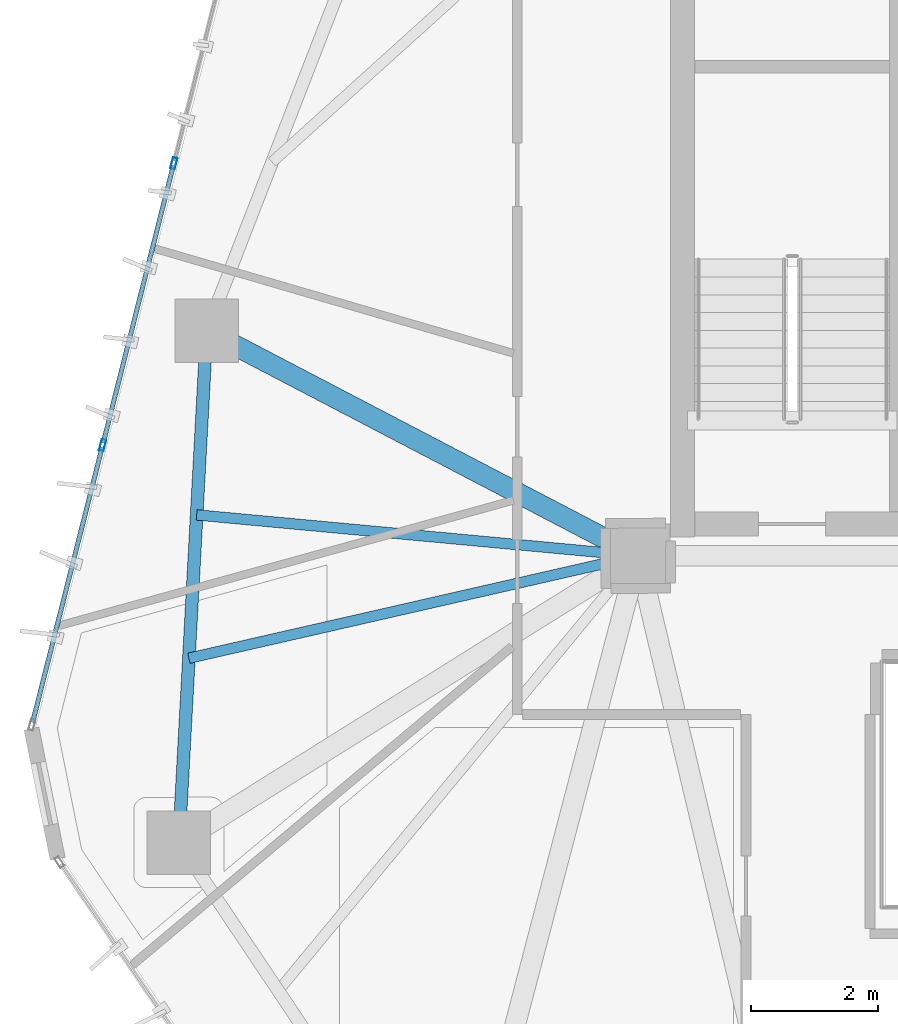
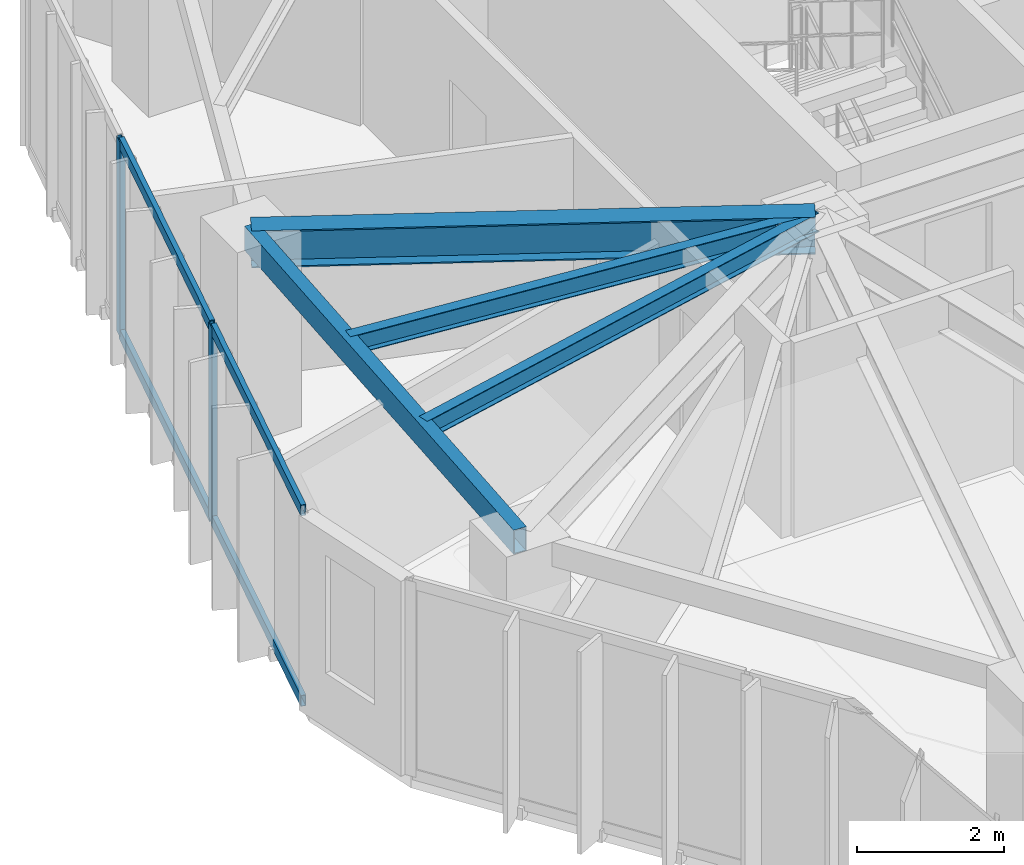
# One storey, part 6 of 21: 6 members, 4 beams, 1 element without a shape of its own.
"""IFC4 building model written with IfcOpenShell, lengths in metres."""

from ifc_helpers import new_model, si_unit, direction, frame, origin, origin_2d, place, context, subcontext, project, spatial, hollow_rectangle, i_section, extrude, source, transform, mapped, material, layer, layer_set, material_profile, profile_set, type_object, type_shapes, element, aggregate, save


model = new_model("IFC4")

# Units and contexts
model_context = context("Model", 3, precision=1e-05, world=origin(), true_north=direction((0.0, 1.0)))
body_context = subcontext(model_context, "Body", "Model", "MODEL_VIEW")
ifc_project = project(units=[si_unit("LENGTHUNIT", "METRE"), si_unit("AREAUNIT", "SQUARE_METRE"), si_unit("VOLUMEUNIT", "CUBIC_METRE"), si_unit("PLANEANGLEUNIT", "RADIAN"), si_unit("MASSUNIT", "GRAM", prefix="KILO")], contexts=[model_context])

# Site, building, storey
site_placement = place(None, origin())
site = spatial("IfcSite", under=ifc_project, at=site_placement, CompositionType="ELEMENT")
building_placement = place(site_placement, origin())
building = spatial("IfcBuilding", under=site, at=building_placement, Name="Talar Marvaseh", CompositionType="ELEMENT")
storey_placement = place(building_placement, frame((0.0, 0.0, 184.5)))
storey = spatial("IfcBuildingStorey", under=building, at=storey_placement, Name="L48", CompositionType="ELEMENT", Elevation=184.5)

# Beams
ifc_material_1 = material(Name="Steel S355", Category="steel")
ifc_material_profile_1 = material_profile(ifc_material_1, hollow_rectangle(XDim=0.199951171875, YDim=0.39990234375, WallThickness=0.013916015625, at=origin_2d()), Name="RHS400x200x14")
ifc_profile_set_1 = profile_set([ifc_material_profile_1], Name="Steel S355")
beam_type_1 = type_object("IfcBeamType", Name="Zone 3 Perimeter Spandrel Beam RHS400x200x14", PredefinedType="SPANDREL", material=ifc_profile_set_1)
beam_1_placement = place(storey_placement, frame((11.471923828125, 20.986083984375, 3.030029296875), z_axis=(0.054148078426, 0.998532916635, 0.0), x_axis=(-0.998532916635, 0.054148078426, 0.0)))
element("IfcBeam", 1, at=beam_1_placement, inside=storey, type_object=beam_type_1, Name="L48 Zone 3 Perimeter Spandrel Beam RHS400x200x14", PredefinedType="SPANDREL", context=body_context, shape_type="SweptSolid", body=[
    extrude(hollow_rectangle(XDim=0.199951171875, YDim=0.39990234375, WallThickness=0.013916015625, at=origin_2d()), origin(), (0.0, 0.0, 1.0), 8.070556640625),
])
ifc_material_profile_2 = material_profile(ifc_material_1, i_section(OverallWidth=0.324951171875, OverallDepth=0.615966796875, WebThickness=0.013916015625, FlangeThickness=0.021484375, at=origin_2d()), Name="W610x174")
ifc_profile_set_2 = profile_set([ifc_material_profile_2], Name="Steel S355")
beam_type_2 = type_object("IfcBeamType", Name="Zone 3 Radial Floor Girder W610x174", PredefinedType="BEAM", material=ifc_profile_set_2)
beam_2_placement = place(storey_placement, frame((11.908935546875, 29.044921875, 2.922119140625), z_axis=(0.886489360055, -0.462748975697, 0.0), x_axis=(0.462748975697, 0.886489360055, 0.0)))
element("IfcBeam", 2, at=beam_2_placement, inside=storey, type_object=beam_type_2, Name="L48 Zone 3 Radial Floor Girder W610x174", PredefinedType="BEAM", context=body_context, shape_type="SweptSolid", body=[
    extrude(i_section(OverallWidth=0.324951171875, OverallDepth=0.615966796875, WebThickness=0.013916015625, FlangeThickness=0.021484375, at=origin_2d()), origin(), (0.0, 0.0, 1.0), 7.66064453125),
])
ifc_material_profile_3 = material_profile(ifc_material_1, i_section(OverallWidth=0.166015625, OverallDepth=0.31298828125, WebThickness=0.006591796875, FlangeThickness=0.01123046875, at=origin_2d()), Name="W310x45")
ifc_profile_set_3 = profile_set([ifc_material_profile_3], Name="Steel S355")
beam_type_3 = type_object("IfcBeamType", Name="Zone 3 Secondary Floor Joist W310x45", PredefinedType="JOIST", material=ifc_profile_set_3)
beam_3_placement = place(storey_placement, frame((11.62939453125, 23.88720703125, 3.073486328125), z_axis=(0.974958279205, 0.222387845462, 0.0), x_axis=(-0.222387845462, 0.974958279205, 0.0)))
element("IfcBeam", 3, at=beam_3_placement, inside=storey, type_object=beam_type_3, Name="L48 Zone 3 Secondary Floor Joist W310x45", PredefinedType="JOIST", context=body_context, shape_type="SweptSolid", body=[
    extrude(i_section(OverallWidth=0.166015625, OverallDepth=0.31298828125, WebThickness=0.006591796875, FlangeThickness=0.01123046875, at=origin_2d()), origin(), (0.0, 0.0, 1.0), 7.252197265625),
])
beam_4_placement = place(storey_placement, frame((11.751708984375, 26.143798828125, 3.073486328125), z_axis=(0.995734842854, -0.092261165868, 0.0), x_axis=(0.092261165868, 0.995734842854, 0.0)))
element("IfcBeam", 4, at=beam_4_placement, inside=storey, type_object=beam_type_3, Name="L48 Zone 3 Secondary Floor Joist W310x45", PredefinedType="JOIST", context=body_context, shape_type="SweptSolid", body=[
    extrude(i_section(OverallWidth=0.166015625, OverallDepth=0.31298828125, WebThickness=0.006591796875, FlangeThickness=0.01123046875, at=origin_2d()), origin(), (0.0, 0.0, 1.0), 6.97802734375),
])

# Curtain wall, members
ifc_material_2 = material(Name="Architectural Aluminium", Category="aluminium")
ifc_layer = layer(ifc_material_2, 0.18994140625)
ifc_layer_set = layer_set([ifc_layer], Name="Architectural Aluminium")
curtain_wall_type = type_object("IfcCurtainWallType", Name="Unitised Solar Atelier Curtain Wall Z3", PredefinedType="NOTDEFINED", material=ifc_layer_set)
curtain_wall_placement = place(storey_placement, origin())
curtain_wall = element("IfcCurtainWall", 5, at=curtain_wall_placement, inside=storey, type_object=curtain_wall_type, Name="L48 Unitised Solar Atelier Curtain Wall Z3", PredefinedType="NOTDEFINED")
ifc_material_profile_4 = material_profile(ifc_material_2, hollow_rectangle(XDim=0.074951171875, YDim=0.179931640625, WallThickness=0.0048828125, at=origin_2d()), Name="RHS180x75x5")
ifc_profile_set_4 = profile_set([ifc_material_profile_4], Name="Architectural Aluminium")
member_type_1 = type_object("IfcMemberType", Name="Unitised Curtain Wall Standard Mullion RHS180x75x5", PredefinedType="MULLION", material=ifc_profile_set_4)
shared_shape_1 = source(origin(), body_context, "Body", "SweptSolid", [
    extrude(hollow_rectangle(XDim=0.074951171875, YDim=0.179931640625, WallThickness=0.0048828125, at=origin_2d()), origin(), (0.0, 0.0, 1.0), 3.22998046875),
])
type_shapes(member_type_1, [shared_shape_1])
member_1_placement = place(storey_placement, frame((10.27197265625, 27.242431640625, 0.0), z_axis=(0.0, 0.0, 1.0), x_axis=(-0.969522498884, 0.245002294189, 0.0)))
member_1 = element("IfcMember", 6, at=member_1_placement, type_object=member_type_1, Name="CW-Z3 mullion 2", PredefinedType="MULLION", context=body_context, shape_type="MappedRepresentation", body=[
    mapped(shared_shape_1, transform((0.0, 0.0, 0.0), x_axis=(1.0, 0.0, 0.0), y_axis=(0.0, 1.0, 0.0), z_axis=(0.0, 0.0, 1.0), scale=1.0)),
])
member_2_placement = place(storey_placement, frame((11.3935546875, 31.68017578125, 0.0), z_axis=(0.0, 0.0, 1.0), x_axis=(-0.969522498884, 0.245002294189, 0.0)))
member_2 = element("IfcMember", 7, at=member_2_placement, type_object=member_type_1, Name="CW-Z3 mullion 3", PredefinedType="MULLION", context=body_context, shape_type="MappedRepresentation", body=[
    mapped(shared_shape_1, transform((0.0, 0.0, 0.0), x_axis=(1.0, 0.0, 0.0), y_axis=(0.0, 1.0, 0.0), z_axis=(0.0, 0.0, 1.0), scale=1.0)),
])
ifc_material_profile_5 = material_profile(ifc_material_2, hollow_rectangle(XDim=0.074951171875, YDim=0.179931640625, WallThickness=0.0048828125, at=origin_2d()), Name="RHS180x75x5")
ifc_profile_set_5 = profile_set([ifc_material_profile_5], Name="Architectural Aluminium")
member_type_2 = type_object("IfcMemberType", Name="Unitised Curtain Wall Transom RHS180x75x5", PredefinedType="USERDEFINED", material=ifc_profile_set_5)
shared_shape_2 = source(origin(), body_context, "Body", "SweptSolid", [
    extrude(hollow_rectangle(XDim=0.074951171875, YDim=0.179931640625, WallThickness=0.0048828125, at=origin_2d()), origin(), (0.0, 0.0, 1.0), 4.502197265625),
])
member_3_placement = place(storey_placement, frame((10.28125, 27.27880859375, 0.03759765625), z_axis=(0.244997385441, 0.969523739331, 0.0), x_axis=(-0.969523739331, 0.244997385441, 0.0)))
member_3 = element("IfcMember", 8, at=member_3_placement, type_object=member_type_2, Name="CW-Z3 transom 2.1", ObjectType="TRANSOM", PredefinedType="USERDEFINED", context=body_context, shape_type="MappedRepresentation", body=[
    mapped(shared_shape_2, transform((0.0, 0.0, 0.0), x_axis=(1.0, 0.0, 0.0), y_axis=(0.0, 1.0, 0.0), z_axis=(0.0, 0.0, 1.0), scale=1.0)),
])
member_4_placement = place(storey_placement, frame((10.28125, 27.27880859375, 3.1923828125), z_axis=(0.244997385441, 0.969523739331, 0.0), x_axis=(-0.969523739331, 0.244997385441, 0.0)))
member_4 = element("IfcMember", 9, at=member_4_placement, type_object=member_type_2, Name="CW-Z3 transom 2.2", ObjectType="TRANSOM", PredefinedType="USERDEFINED", context=body_context, shape_type="MappedRepresentation", body=[
    mapped(shared_shape_2, transform((0.0, 0.0, 0.0), x_axis=(1.0, 0.0, 0.0), y_axis=(0.0, 1.0, 0.0), z_axis=(0.0, 0.0, 1.0), scale=1.0)),
])
shared_shape_3 = source(origin(), body_context, "Body", "SweptSolid", [
    extrude(hollow_rectangle(XDim=0.074951171875, YDim=0.179931640625, WallThickness=0.0048828125, at=origin_2d()), origin(), (0.0, 0.0, 1.0), 4.46484375),
])
type_shapes(member_type_2, [shared_shape_2, shared_shape_3])
member_5_placement = place(storey_placement, frame((9.1689453125, 22.877197265625, 0.03759765625), z_axis=(0.24501791381, 0.969518551608, 0.0), x_axis=(-0.969518551608, 0.24501791381, 0.0)))
member_5 = element("IfcMember", 10, at=member_5_placement, type_object=member_type_2, Name="CW-Z3 transom 1.1", ObjectType="TRANSOM", PredefinedType="USERDEFINED", context=body_context, shape_type="MappedRepresentation", body=[
    mapped(shared_shape_3, transform((0.0, 0.0, 0.0), x_axis=(1.0, 0.0, 0.0), y_axis=(0.0, 1.0, 0.0), z_axis=(0.0, 0.0, 1.0), scale=1.0)),
])
member_6_placement = place(storey_placement, frame((9.1689453125, 22.877197265625, 3.1923828125), z_axis=(0.24501791381, 0.969518551608, 0.0), x_axis=(-0.969518551608, 0.24501791381, 0.0)))
member_6 = element("IfcMember", 11, at=member_6_placement, type_object=member_type_2, Name="CW-Z3 transom 1.2", ObjectType="TRANSOM", PredefinedType="USERDEFINED", context=body_context, shape_type="MappedRepresentation", body=[
    mapped(shared_shape_3, transform((0.0, 0.0, 0.0), x_axis=(1.0, 0.0, 0.0), y_axis=(0.0, 1.0, 0.0), z_axis=(0.0, 0.0, 1.0), scale=1.0)),
])
aggregate(curtain_wall, [member_1, member_2, member_5, member_6, member_3, member_4])

save(model, "model.ifc")
